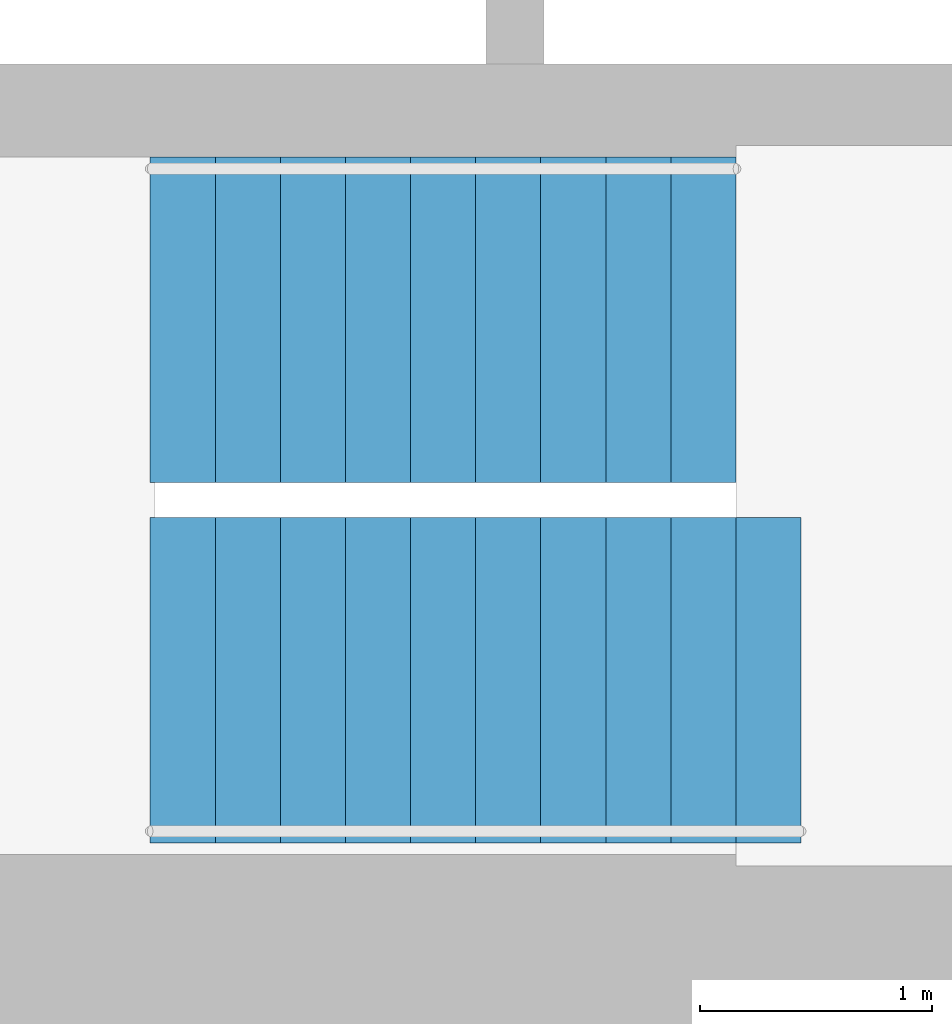
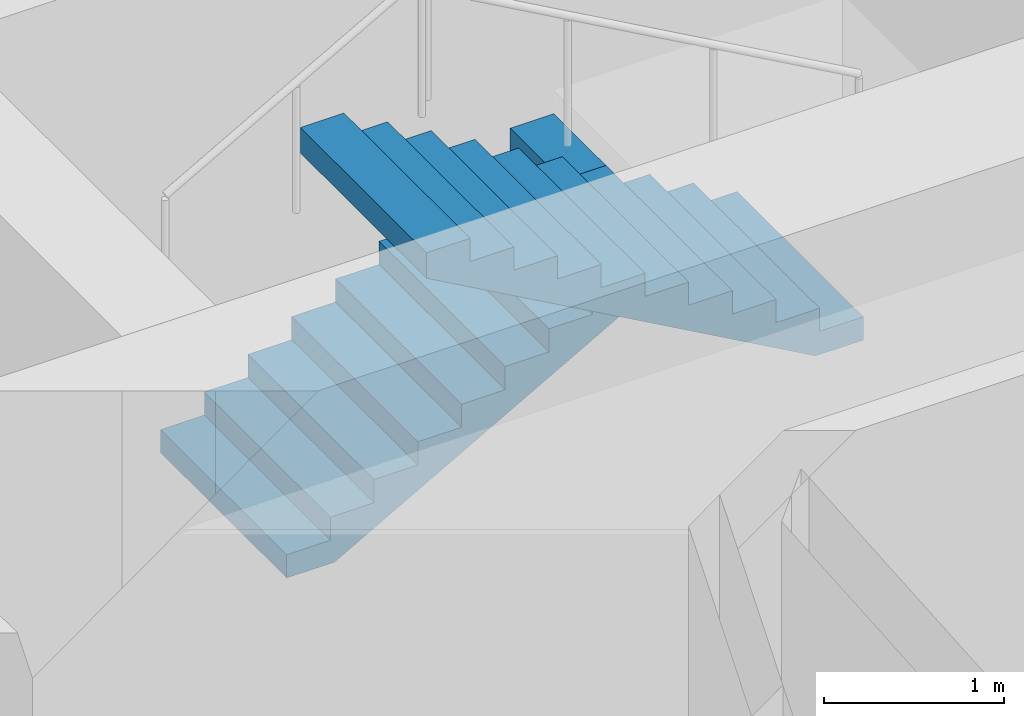
# One storey, part 13 of 14: 2 stair flights, 1 element without a shape of its own.
"""IFC4 building model written with IfcOpenShell, lengths in metres."""

from ifc_helpers import new_model, si_unit, direction, frame, origin, place, context, subcontext, project, spatial, polyline, outline, extrude, material, type_object, element, aggregate, save


model = new_model("IFC4")

# Units and contexts
model_context = context("Model", 3, precision=1e-05, world=origin(), true_north=direction((0.0, 1.0)))
body_context = subcontext(model_context, "Body", "Model", "MODEL_VIEW")
ifc_project = project(units=[si_unit("LENGTHUNIT", "METRE"), si_unit("AREAUNIT", "SQUARE_METRE"), si_unit("VOLUMEUNIT", "CUBIC_METRE"), si_unit("PLANEANGLEUNIT", "RADIAN"), si_unit("MASSUNIT", "GRAM", prefix="KILO")], contexts=[model_context])

# Site, building, storey
site_placement = place(None, origin())
site = spatial("IfcSite", under=ifc_project, at=site_placement, CompositionType="ELEMENT")
building_placement = place(site_placement, origin())
building = spatial("IfcBuilding", under=site, at=building_placement, Name="Hankou Lantern Tower", CompositionType="ELEMENT")
storey_placement = place(building_placement, frame((0.0, 0.0, 36.0)))
storey = spatial("IfcBuildingStorey", under=building, at=storey_placement, Name="L07", CompositionType="ELEMENT", Elevation=36.0)

# Stair, stair flights
ifc_material_1 = material(Name="Concrete C40", Category="concrete")
stair_type = type_object("IfcStairType", Name="ST33 CORE STAIR 3300 RISE", PredefinedType="HALF_TURN_STAIR", material=ifc_material_1)
stair_placement = place(storey_placement, origin())
stair = element("IfcStair", 1, at=stair_placement, inside=storey, type_object=stair_type, Name="Stair STB L07", PredefinedType="HALF_TURN_STAIR")
ifc_material_2 = material(Name="Concrete C40", Category="concrete")
stair_flight_type_1 = type_object("IfcStairFlightType", Name="CF10 CORE STAIR FLIGHT 1400 X 10 RISERS", PredefinedType="STRAIGHT", material=ifc_material_2)
stair_flight_1_placement = place(storey_placement, frame((4.429931640625, -5.199951171875, 0.0), z_axis=(0.0, 0.0, 1.0), x_axis=(1.0, 0.0, 0.0)))
stair_flight_1 = element("IfcStairFlight", 2, at=stair_flight_1_placement, type_object=stair_flight_type_1, Name="STB flight 1", NumberOfRisers=10, NumberOfTreads=9, PredefinedType="STRAIGHT", RiserHeight=0.157142857, TreadLength=0.28, context=body_context, shape_type="SweptSolid", body=[
    extrude(outline(polyline([(0.0, 0.0), (0.0, 0.1572265625), (0.280029296875, 0.1572265625), (0.280029296875, 0.314208984375), (0.56005859375, 0.314208984375), (0.56005859375, 0.471435546875), (0.840087890625, 0.471435546875), (0.840087890625, 0.628662109375), (1.1201171875, 0.628662109375), (1.1201171875, 0.78564453125), (1.39990234375, 0.78564453125), (1.39990234375, 0.94287109375), (1.679931640625, 0.94287109375), (1.679931640625, 1.10009765625), (1.9599609375, 1.10009765625), (1.9599609375, 1.257080078125), (2.239990234375, 1.257080078125), (2.239990234375, 1.414306640625), (2.52001953125, 1.414306640625), (2.52001953125, 1.571533203125), (2.52001953125, 1.242431640625), (0.306396484375, 0.0), (0.0, 0.0)])), frame((0.0, 0.699951171875, 0.0), z_axis=(0.0, -1.0, 0.0), x_axis=(1.0, 0.0, 0.0)), (0.0, 0.0, 1.0), 1.39990234375),
])
ifc_material_3 = material(Name="Concrete C40", Category="concrete")
stair_flight_type_2 = type_object("IfcStairFlightType", Name="CF11 CORE STAIR FLIGHT 1400 X 11 RISERS", PredefinedType="STRAIGHT", material=ifc_material_3)
stair_flight_2_placement = place(storey_placement, frame((7.22998046875, -6.75, 1.571533203125), z_axis=(0.0, 0.0, 1.0), x_axis=(-1.0, 0.0, 0.0)))
stair_flight_2 = element("IfcStairFlight", 3, at=stair_flight_2_placement, type_object=stair_flight_type_2, Name="STB flight 2", NumberOfRisers=11, NumberOfTreads=10, PredefinedType="STRAIGHT", RiserHeight=0.157142857, TreadLength=0.28, context=body_context, shape_type="SweptSolid", body=[
    extrude(outline(polyline([(0.0, 0.0), (0.0, 0.1572265625), (0.280029296875, 0.1572265625), (0.280029296875, 0.314208984375), (0.56005859375, 0.314208984375), (0.56005859375, 0.471435546875), (0.840087890625, 0.471435546875), (0.840087890625, 0.628662109375), (1.1201171875, 0.628662109375), (1.1201171875, 0.78564453125), (1.39990234375, 0.78564453125), (1.39990234375, 0.94287109375), (1.679931640625, 0.94287109375), (1.679931640625, 1.10009765625), (1.9599609375, 1.10009765625), (1.9599609375, 1.257080078125), (2.239990234375, 1.257080078125), (2.239990234375, 1.414306640625), (2.52001953125, 1.414306640625), (2.52001953125, 1.571533203125), (2.800048828125, 1.571533203125), (2.800048828125, 1.728515625), (2.800048828125, 1.3994140625), (0.306396484375, 0.0), (0.0, 0.0)])), frame((0.0, 0.699951171875, 0.0), z_axis=(0.0, -1.0, 0.0), x_axis=(1.0, 0.0, 0.0)), (0.0, 0.0, 1.0), 1.39990234375),
])
aggregate(stair, [stair_flight_1, stair_flight_2])

save(model, "model.ifc")
